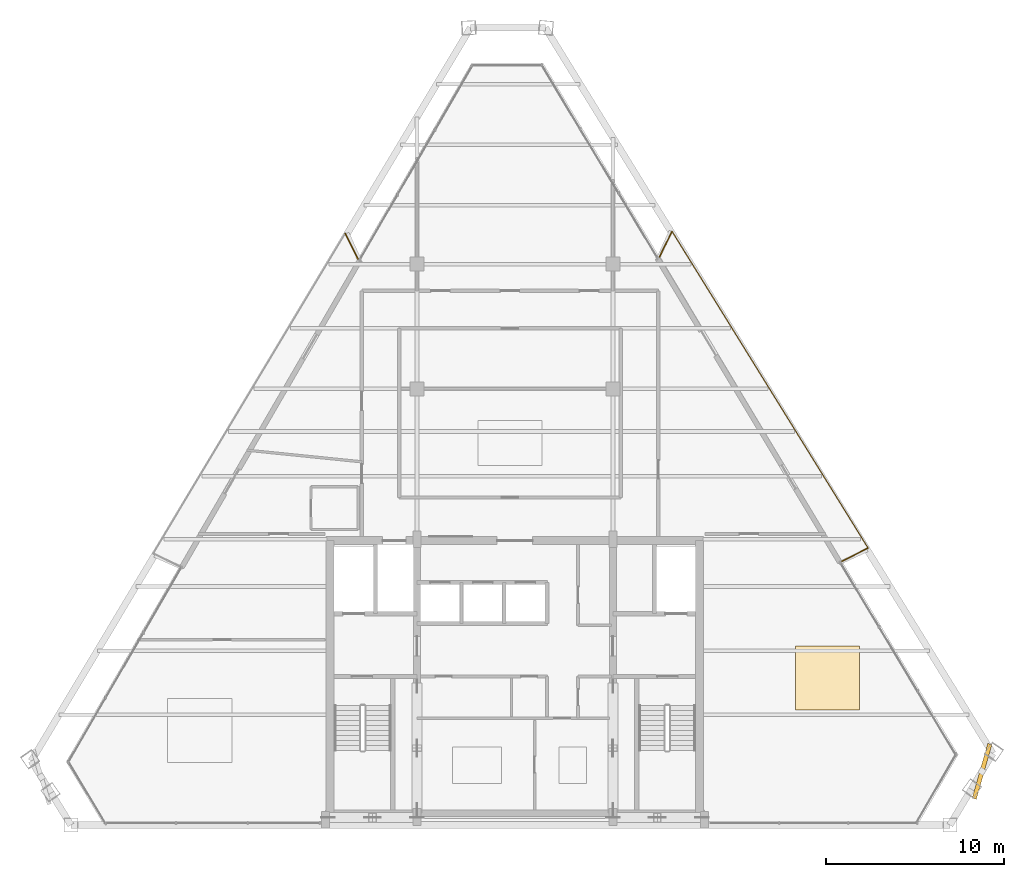
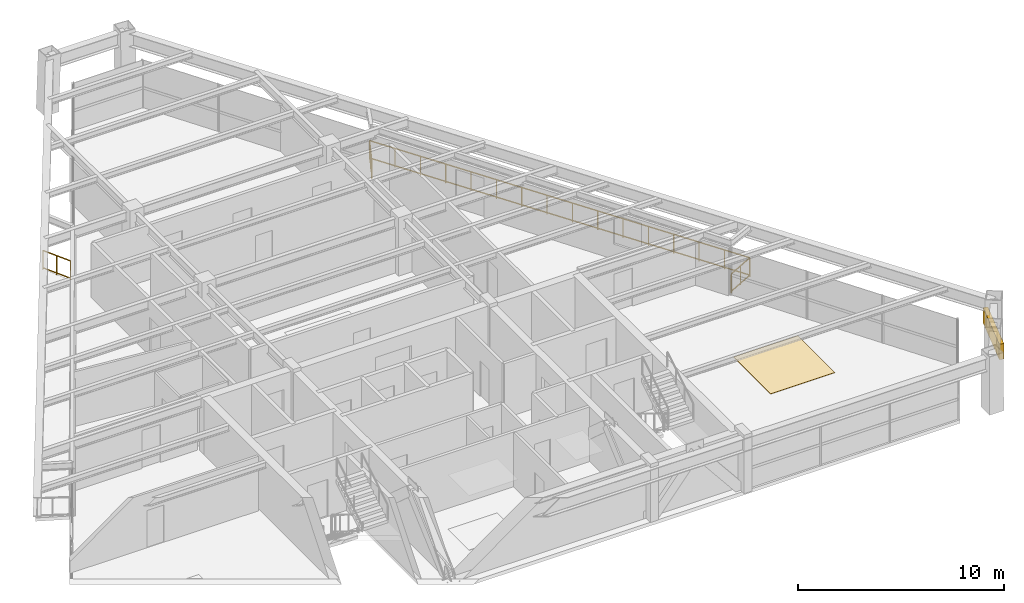
# One storey, part 13 of 13: 4 railings, 1 covering, 1 shading device.
"""IFC4 building model written with IfcOpenShell, lengths in metres."""

from ifc_helpers import new_model, si_unit, direction, frame, origin, origin_2d, place, context, subcontext, project, spatial, rectangle, extrude, source, transform, mapped, material, layer, layer_set, type_object, type_shapes, element, save


model = new_model("IFC4")

# Units and contexts
model_context = context("Model", 3, precision=1e-05, world=origin(), true_north=direction((0.0, 1.0)))
body_context = subcontext(model_context, "Body", "Model", "MODEL_VIEW")
ifc_project = project(units=[si_unit("LENGTHUNIT", "METRE"), si_unit("AREAUNIT", "SQUARE_METRE"), si_unit("VOLUMEUNIT", "CUBIC_METRE"), si_unit("PLANEANGLEUNIT", "RADIAN"), si_unit("MASSUNIT", "GRAM", prefix="KILO")], contexts=[model_context])

# Site, building, storey
site_placement = place(None, origin())
site = spatial("IfcSite", under=ifc_project, at=site_placement, CompositionType="ELEMENT")
building_placement = place(site_placement, origin())
building = spatial("IfcBuilding", under=site, at=building_placement, Name="Varnakhor Terracotta Tower", CompositionType="ELEMENT")
storey_placement = place(building_placement, frame((0.0, 0.0, 266.10009765625)))
storey = spatial("IfcBuildingStorey", under=building, at=storey_placement, Name="L69", CompositionType="ELEMENT", Elevation=266.10009765625)

# Railings
ifc_material_1 = material(Name="Stainless Steel & Laminated Glass Guardrail", Category="steel")
railing_type = type_object("IfcRailingType", Name="RLG-LOGGIA-GUARD-1150", PredefinedType="GUARDRAIL", material=ifc_material_1)
railing_1_placement = place(storey_placement, frame((8.115234375, 31.908203125, 0.0)))
element("IfcRailing", 1, at=railing_1_placement, inside=storey, type_object=railing_type, Name="L69 E Loggia Glass Guard 1", PredefinedType="GUARDRAIL", context=body_context, shape_type="SweptSolid", body=[
    extrude(rectangle(XDim=0.048095703125, YDim=0.048095703125, at=origin_2d()), frame((0.0, 0.0, 1.1259765625), z_axis=(0.443480924077, 0.896283811066, 0.0), x_axis=(-0.896283811066, 0.443480924077, 0.0)), (0.0, 0.0, 1.0), 1.59765625),
    extrude(rectangle(XDim=0.048095703125, YDim=0.048095703125, at=origin_2d()), frame((0.0, 0.0, 0.10009765625), z_axis=(0.443480924077, 0.896283811066, 0.0), x_axis=(-0.896283811066, 0.443480924077, 0.0)), (0.0, 0.0, 1.0), 1.59765625),
    extrude(rectangle(XDim=0.0419921875, YDim=0.0419921875, at=origin_2d()), origin(), (0.0, 0.0, 1.0), 1.101806640625),
    extrude(rectangle(XDim=0.0419921875, YDim=0.0419921875, at=origin_2d()), frame((0.354248046875, 0.7158203125, 0.0)), (0.0, 0.0, 1.0), 1.101806640625),
    extrude(rectangle(XDim=0.0419921875, YDim=0.0419921875, at=origin_2d()), frame((0.70849609375, 1.431884765625, 0.0)), (0.0, 0.0, 1.0), 1.101806640625),
])
railing_2_placement = place(storey_placement, frame((8.82373046875, 33.340087890625, 0.0)))
element("IfcRailing", 2, at=railing_2_placement, inside=storey, type_object=railing_type, Name="L69 E Loggia Glass Guard 2", PredefinedType="GUARDRAIL", context=body_context, shape_type="SweptSolid", body=[
    extrude(rectangle(XDim=0.048095703125, YDim=0.048095703125, at=origin_2d()), frame((0.0, 0.0, 1.1259765625), z_axis=(0.526348183588, -0.850269127767, 0.0), x_axis=(0.850269127767, 0.526348183588, 0.0)), (0.0, 0.0, 1.0), 20.910888671875),
    extrude(rectangle(XDim=0.048095703125, YDim=0.048095703125, at=origin_2d()), frame((0.0, 0.0, 0.10009765625), z_axis=(0.526348183588, -0.850269127767, 0.0), x_axis=(0.850269127767, 0.526348183588, 0.0)), (0.0, 0.0, 1.0), 20.910888671875),
    extrude(rectangle(XDim=0.0419921875, YDim=0.0419921875, at=origin_2d()), origin(), (0.0, 0.0, 1.0), 1.101806640625),
    extrude(rectangle(XDim=0.0419921875, YDim=0.0419921875, at=origin_2d()), frame((0.733642578125, -1.185302734375, 0.0)), (0.0, 0.0, 1.0), 1.101806640625),
    extrude(rectangle(XDim=0.0419921875, YDim=0.0419921875, at=origin_2d()), frame((1.467529296875, -2.37060546875, 0.0)), (0.0, 0.0, 1.0), 1.101806640625),
    extrude(rectangle(XDim=0.0419921875, YDim=0.0419921875, at=origin_2d()), frame((2.201171875, -3.555908203125, 0.0)), (0.0, 0.0, 1.0), 1.101806640625),
    extrude(rectangle(XDim=0.0419921875, YDim=0.0419921875, at=origin_2d()), frame((2.93505859375, -4.7412109375, 0.0)), (0.0, 0.0, 1.0), 1.101806640625),
    extrude(rectangle(XDim=0.0419921875, YDim=0.0419921875, at=origin_2d()), frame((3.668701171875, -5.926513671875, 0.0)), (0.0, 0.0, 1.0), 1.101806640625),
    extrude(rectangle(XDim=0.0419921875, YDim=0.0419921875, at=origin_2d()), frame((4.402587890625, -7.11181640625, 0.0)), (0.0, 0.0, 1.0), 1.101806640625),
    extrude(rectangle(XDim=0.0419921875, YDim=0.0419921875, at=origin_2d()), frame((5.13623046875, -8.297119140625, 0.0)), (0.0, 0.0, 1.0), 1.101806640625),
    extrude(rectangle(XDim=0.0419921875, YDim=0.0419921875, at=origin_2d()), frame((5.8701171875, -9.482666015625, 0.0)), (0.0, 0.0, 1.0), 1.101806640625),
    extrude(rectangle(XDim=0.0419921875, YDim=0.0419921875, at=origin_2d()), frame((6.603759765625, -10.66796875, 0.0)), (0.0, 0.0, 1.0), 1.101806640625),
    extrude(rectangle(XDim=0.0419921875, YDim=0.0419921875, at=origin_2d()), frame((7.337646484375, -11.853271484375, 0.0)), (0.0, 0.0, 1.0), 1.101806640625),
    extrude(rectangle(XDim=0.0419921875, YDim=0.0419921875, at=origin_2d()), frame((8.0712890625, -13.03857421875, 0.0)), (0.0, 0.0, 1.0), 1.101806640625),
    extrude(rectangle(XDim=0.0419921875, YDim=0.0419921875, at=origin_2d()), frame((8.80517578125, -14.223876953125, 0.0)), (0.0, 0.0, 1.0), 1.101806640625),
    extrude(rectangle(XDim=0.0419921875, YDim=0.0419921875, at=origin_2d()), frame((9.538818359375, -15.4091796875, 0.0)), (0.0, 0.0, 1.0), 1.101806640625),
    extrude(rectangle(XDim=0.0419921875, YDim=0.0419921875, at=origin_2d()), frame((10.272705078125, -16.594482421875, 0.0)), (0.0, 0.0, 1.0), 1.101806640625),
    extrude(rectangle(XDim=0.0419921875, YDim=0.0419921875, at=origin_2d()), frame((11.00634765625, -17.77978515625, 0.0)), (0.0, 0.0, 1.0), 1.101806640625),
])
railing_3_placement = place(storey_placement, frame((19.830078125, 15.560302734375, 0.0)))
element("IfcRailing", 3, at=railing_3_placement, inside=storey, type_object=railing_type, Name="L69 E Loggia Glass Guard 3", PredefinedType="GUARDRAIL", context=body_context, shape_type="SweptSolid", body=[
    extrude(rectangle(XDim=0.048095703125, YDim=0.048095703125, at=origin_2d()), frame((0.0, 0.0, 1.1259765625), z_axis=(-0.892266813811, -0.451508508194, 0.0), x_axis=(0.451508508194, -0.892266813811, 0.0)), (0.0, 0.0, 1.0), 1.63525390625),
    extrude(rectangle(XDim=0.048095703125, YDim=0.048095703125, at=origin_2d()), frame((0.0, 0.0, 0.10009765625), z_axis=(-0.892266813811, -0.451508508194, 0.0), x_axis=(0.451508508194, -0.892266813811, 0.0)), (0.0, 0.0, 1.0), 1.63525390625),
    extrude(rectangle(XDim=0.0419921875, YDim=0.0419921875, at=origin_2d()), origin(), (0.0, 0.0, 1.0), 1.101806640625),
    extrude(rectangle(XDim=0.0419921875, YDim=0.0419921875, at=origin_2d()), frame((-0.7294921875, -0.369140625, 0.0)), (0.0, 0.0, 1.0), 1.101806640625),
    extrude(rectangle(XDim=0.0419921875, YDim=0.0419921875, at=origin_2d()), frame((-1.458984375, -0.73828125, 0.0)), (0.0, 0.0, 1.0), 1.101806640625),
])
railing_4_placement = place(storey_placement, frame((-9.532958984375, 33.223388671875, 0.0)))
element("IfcRailing", 4, at=railing_4_placement, inside=storey, type_object=railing_type, Name="L69 W Loggia Glass Guard 3", PredefinedType="GUARDRAIL", context=body_context, shape_type="SweptSolid", body=[
    extrude(rectangle(XDim=0.048095703125, YDim=0.048095703125, at=origin_2d()), frame((0.0, 0.0, 1.1259765625), z_axis=(0.4472135955, -0.894427191, 0.0), x_axis=(0.894427191, 0.4472135955, 0.0)), (0.0, 0.0, 1.0), 1.5947265625),
    extrude(rectangle(XDim=0.048095703125, YDim=0.048095703125, at=origin_2d()), frame((0.0, 0.0, 0.10009765625), z_axis=(0.4472135955, -0.894427191, 0.0), x_axis=(0.894427191, 0.4472135955, 0.0)), (0.0, 0.0, 1.0), 1.5947265625),
    extrude(rectangle(XDim=0.0419921875, YDim=0.0419921875, at=origin_2d()), origin(), (0.0, 0.0, 1.0), 1.101806640625),
    extrude(rectangle(XDim=0.0419921875, YDim=0.0419921875, at=origin_2d()), frame((0.3564453125, -0.713134765625, 0.0)), (0.0, 0.0, 1.0), 1.101806640625),
    extrude(rectangle(XDim=0.0419921875, YDim=0.0419921875, at=origin_2d()), frame((0.713134765625, -1.42626953125, 0.0)), (0.0, 0.0, 1.0), 1.101806640625),
])

# Shading device
ifc_material_2 = material(Name="Extruded Architectural Terracotta Screen", Category="masonry")
shading_device_type = type_object("IfcShadingDeviceType", Name="TERRACOTTA SOLAR SCREEN E", PredefinedType="USERDEFINED", material=ifc_material_2)
shared_shape_1 = source(origin(), body_context, "Body", "SweptSolid", [
    extrude(rectangle(XDim=3.199951171875, YDim=0.239990234375, at=origin_2d()), origin(), (0.0, 0.0, 1.0), 0.919921875),
])
type_shapes(shading_device_type, [shared_shape_1])
shading_device_placement = place(storey_placement, frame((26.232421875, 3.017578125, 1.56201171875), z_axis=(0.0, 0.0, 1.0), x_axis=(0.274328480641, 0.961636045866, 0.0)))
element("IfcShadingDevice", 5, at=shading_device_placement, inside=storey, type_object=shading_device_type, Name="L69 E Terracotta Solar Screen", ObjectType="SCREEN", PredefinedType="USERDEFINED", context=body_context, shape_type="MappedRepresentation", body=[
    mapped(shared_shape_1, transform((0.0, 0.0, 0.0), scale=1.0)),
])

# Covering
ifc_material_3 = material(Name="Honed Riyadh Limestone Flooring", Category="masonry")
ifc_layer = layer(ifc_material_3, 0.030029296875, Name="Honed Riyadh Limestone Flooring")
ifc_layer_set = layer_set([ifc_layer], Name="Honed Riyadh Limestone Flooring")
covering_type = type_object("IfcCoveringType", Name="COV-FLOOR-LIMESTONE", PredefinedType="FLOORING", material=ifc_layer_set)
shared_shape_2 = source(origin(), body_context, "Body", "SweptSolid", [
    extrude(rectangle(XDim=3.60009765625, YDim=3.60009765625, at=origin_2d()), origin(), (0.0, 0.0, 1.0), 0.02001953125),
])
covering_placement = place(storey_placement, frame((17.5439453125, 8.26611328125, 0.0), z_axis=(0.0, 0.0, 1.0), x_axis=(1.0, 0.0, 0.0)))
element("IfcCovering", 6, at=covering_placement, inside=storey, type_object=covering_type, Name="L69 Honed Stone Flooring 4", PredefinedType="FLOORING", context=body_context, shape_type="MappedRepresentation", body=[
    mapped(shared_shape_2, transform((0.0, 0.0, 0.0), scale=1.0)),
])

save(model, "model.ifc")
